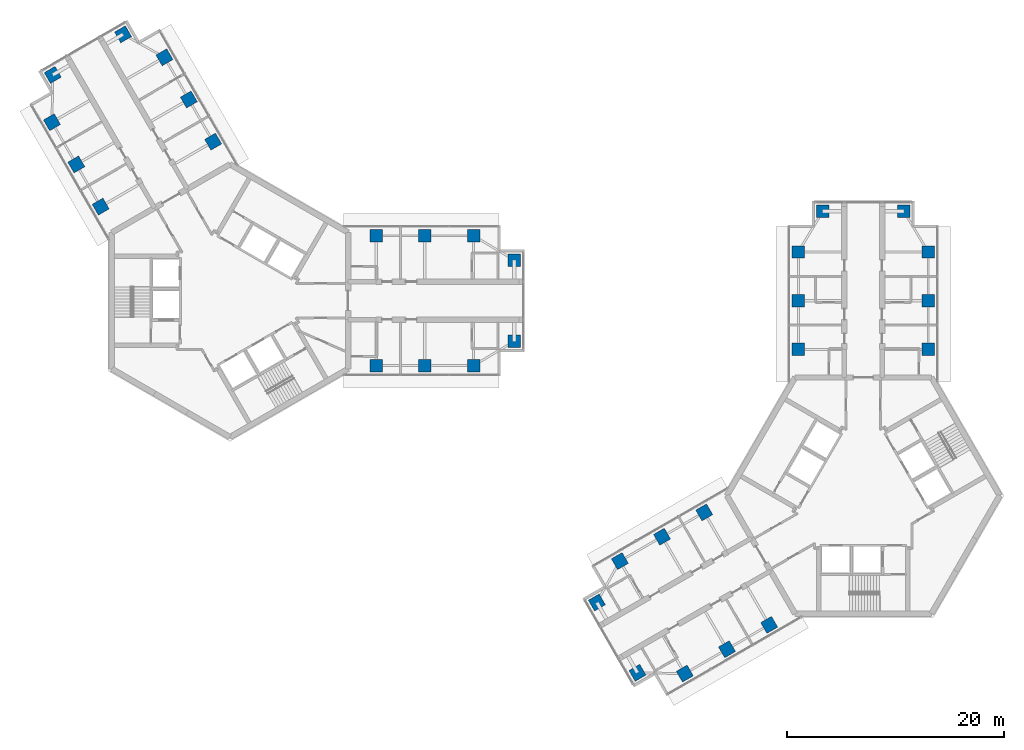
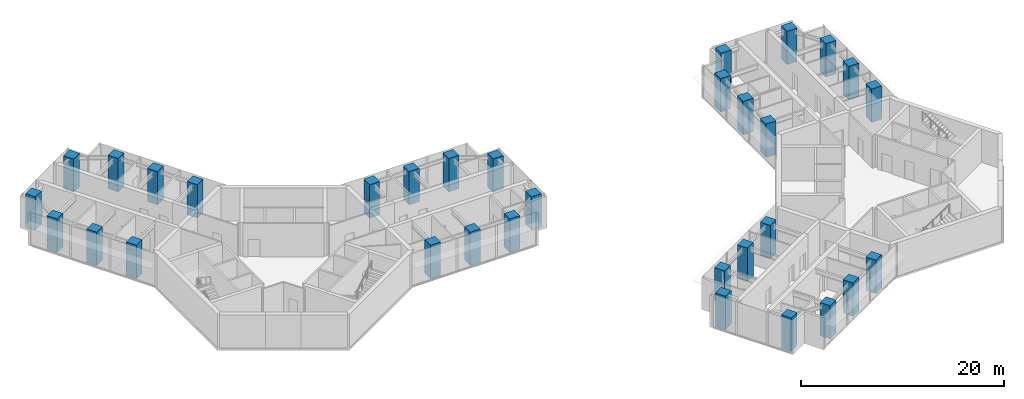
# One storey, part 1 of 17: 32 columns.
"""IFC4 building model written with IfcOpenShell, lengths in metres."""

from ifc_helpers import new_model, si_unit, direction, frame, origin, origin_2d, place, context, subcontext, project, spatial, rectangle, extrude, material, material_profile, profile_set, type_object, element, save


model = new_model("IFC4")

# Units and contexts
model_context = context("Model", 3, precision=1e-05, world=origin(), true_north=direction((0.0, 1.0)))
body_context = subcontext(model_context, "Body", "Model", "MODEL_VIEW")
ifc_project = project(units=[si_unit("LENGTHUNIT", "METRE"), si_unit("AREAUNIT", "SQUARE_METRE"), si_unit("VOLUMEUNIT", "CUBIC_METRE"), si_unit("PLANEANGLEUNIT", "RADIAN"), si_unit("MASSUNIT", "GRAM", prefix="KILO")], contexts=[model_context])

# Site, building, storey
site_placement = place(None, origin())
site = spatial("IfcSite", under=ifc_project, at=site_placement, CompositionType="ELEMENT")
building_placement = place(site_placement, origin())
building = spatial("IfcBuilding", under=site, at=building_placement, Name="Upepo Twin Towers", CompositionType="ELEMENT")
storey_placement = place(building_placement, frame((0.0, 0.0, 202.5)))
storey = spatial("IfcBuildingStorey", under=building, at=storey_placement, Name="L49", CompositionType="ELEMENT", Elevation=202.5)

# Columns
ifc_material = material(Name="Concrete C60/75", Category="concrete")
ifc_material_profile = material_profile(ifc_material, rectangle(XDim=1.14990234375, YDim=1.14990234375, at=origin_2d()), Name="RC 1150x1150")
ifc_profile_set = profile_set([ifc_material_profile], Name="Concrete C60/75")
column_type = type_object("IfcColumnType", Name="Tower column RC 1150x1150", PredefinedType="COLUMN", material=ifc_profile_set)
for number, where, z_axis, x_axis, name in (
    (1, (13.5, 6.0, 0.0), (0.0, 0.0, 1.0), (1.0, 0.0, 0.0), "T1 column AL135"),
    (2, (13.5, -6.0, 0.0), (0.0, 0.0, 1.0), (1.0, 0.0, 0.0), "T1 column AR135"),
    (3, (18.0, 6.0, 0.0), (0.0, 0.0, 1.0), (1.0, 0.0, 0.0), "T1 column AL180"),
    (4, (18.0, -6.0, 0.0), (0.0, 0.0, 1.0), (1.0, 0.0, 0.0), "T1 column AR180"),
    (5, (22.5, 6.0, 0.0), (0.0, 0.0, 1.0), (1.0, 0.0, 0.0), "T1 column AL225"),
    (6, (22.5, -6.0, 0.0), (0.0, 0.0, 1.0), (1.0, 0.0, 0.0), "T1 column AR225"),
    (7, (26.25, 3.75, 0.0), (0.0, 0.0, 1.0), (1.0, 0.0, 0.0), "T1 column ALN"),
    (8, (26.25, -3.75, 0.0), (0.0, 0.0, 1.0), (1.0, 0.0, 0.0), "T1 column ARN"),
    (9, (-11.946044921875, 8.69140625, 0.0), (0.0, 0.0, 1.0), (0.866025403784, 0.5, 0.0), "T1 column BL135"),
    (10, (-1.553955078125, 14.69140625, 0.0), (0.0, 0.0, 1.0), (0.866025403784, 0.5, 0.0), "T1 column BR135"),
    (11, (-14.196044921875, 12.58837890625, 0.0), (0.0, 0.0, 1.0), (0.866025403784, 0.5, 0.0), "T1 column BL180"),
    (12, (-3.803955078125, 18.58837890625, 0.0), (0.0, 0.0, 1.0), (0.866025403784, 0.5, 0.0), "T1 column BR180"),
    (13, (-16.446044921875, 16.485595703125, 0.0), (0.0, 0.0, 1.0), (0.866025403784, 0.5, 0.0), "T1 column BL225"),
    (14, (-6.053955078125, 22.485595703125, 0.0), (0.0, 0.0, 1.0), (0.866025403784, 0.5, 0.0), "T1 column BR225"),
    (15, (-16.37255859375, 20.858154296875, 0.0), (0.0, 0.0, 1.0), (0.866025403784, 0.5, 0.0), "T1 column BLN"),
    (16, (-9.87744140625, 24.608154296875, 0.0), (0.0, 0.0, 1.0), (0.866025403784, 0.5, 0.0), "T1 column BRN"),
    (17, (52.5, -4.5, 0.0), (0.0, 0.0, 1.0), (1.0, 0.0, 0.0), "T2 column AL135"),
    (18, (64.5, -4.5, 0.0), (0.0, 0.0, 1.0), (1.0, 0.0, 0.0), "T2 column AR135"),
    (19, (52.5, 0.0, 0.0), (0.0, 0.0, 1.0), (1.0, 0.0, 0.0), "T2 column AL180"),
    (20, (64.5, 0.0, 0.0), (0.0, 0.0, 1.0), (1.0, 0.0, 0.0), "T2 column AR180"),
    (21, (52.5, 4.5, 0.0), (0.0, 0.0, 1.0), (1.0, 0.0, 0.0), "T2 column AL225"),
    (22, (64.5, 4.5, 0.0), (0.0, 0.0, 1.0), (1.0, 0.0, 0.0), "T2 column AR225"),
    (23, (54.75, 8.25, 0.0), (0.0, 0.0, 1.0), (1.0, 0.0, 0.0), "T2 column ALN"),
    (24, (62.25, 8.25, 0.0), (0.0, 0.0, 1.0), (1.0, 0.0, 0.0), "T2 column ARN"),
    (25, (49.80859375, -29.946044921875, 0.0), (0.0, 0.0, 1.0), (0.866025403784, 0.5, 0.0), "T2 column BL135"),
    (26, (43.80859375, -19.553955078125, 0.0), (0.0, 0.0, 1.0), (0.866025403784, 0.5, 0.0), "T2 column BR135"),
    (27, (45.91162109375, -32.196044921875, 0.0), (0.0, 0.0, 1.0), (0.866025403784, 0.5, 0.0), "T2 column BL180"),
    (28, (39.91162109375, -21.803955078125, 0.0), (0.0, 0.0, 1.0), (0.866025403784, 0.5, 0.0), "T2 column BR180"),
    (29, (42.014404296875, -34.446044921875, 0.0), (0.0, 0.0, 1.0), (0.866025403784, 0.5, 0.0), "T2 column BL225"),
    (30, (36.014404296875, -24.053955078125, 0.0), (0.0, 0.0, 1.0), (0.866025403784, 0.5, 0.0), "T2 column BR225"),
    (31, (37.641845703125, -34.37255859375, 0.0), (0.0, 0.0, 1.0), (0.866025403784, 0.5, 0.0), "T2 column BLN"),
    (32, (33.891845703125, -27.87744140625, 0.0), (0.0, 0.0, 1.0), (0.866025403784, 0.5, 0.0), "T2 column BRN"),
):
    element("IfcColumn", number, at=place(storey_placement, frame(where, z_axis=z_axis, x_axis=x_axis)), inside=storey, type_object=column_type, Name=name, PredefinedType="COLUMN", context=body_context, shape_type="SweptSolid", body=[
        extrude(rectangle(XDim=1.14990234375, YDim=1.14990234375, at=origin_2d()), origin(), (0.0, 0.0, 1.0), 4.0),
    ])

save(model, "model.ifc")
